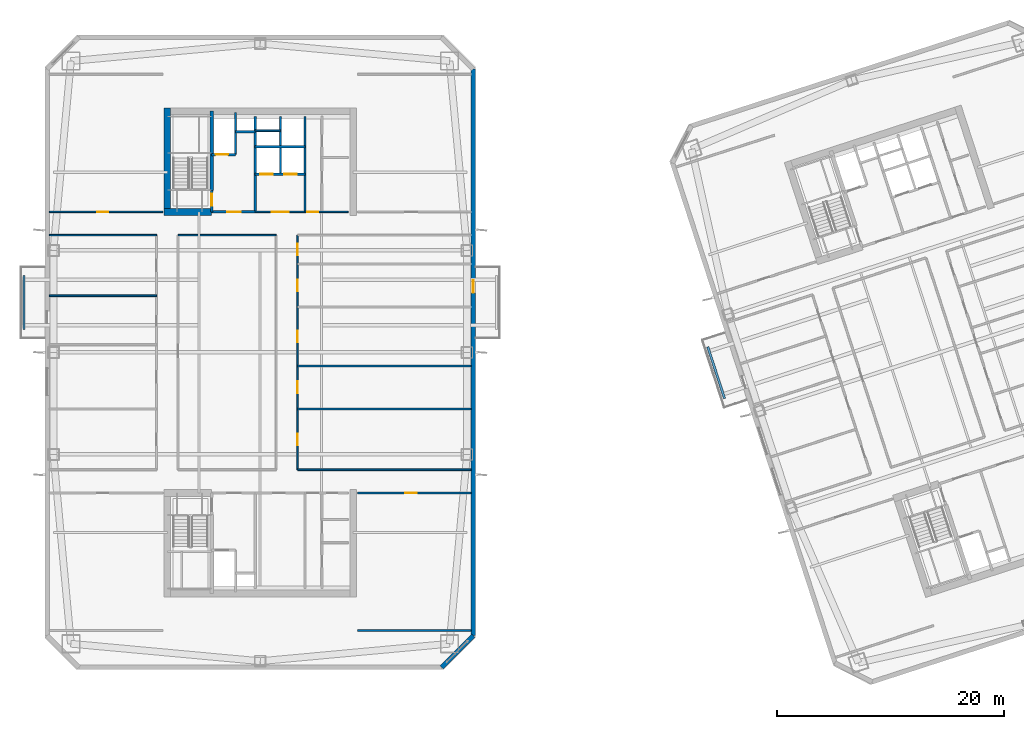
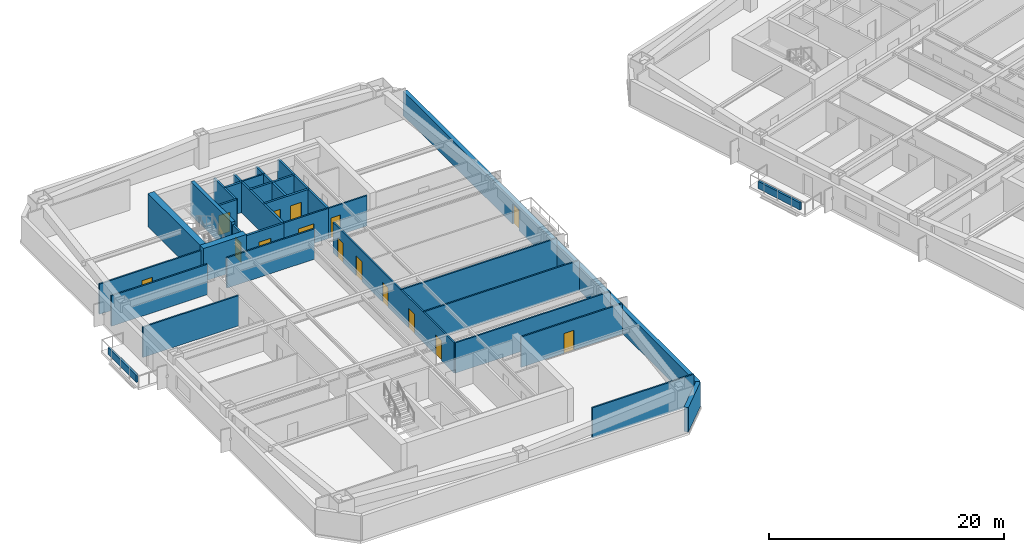
# One storey, part 12 of 23: 30 walls, 15 doors, 15 openings.
"""IFC4 building model written with IfcOpenShell, lengths in metres."""

from ifc_helpers import new_model, si_unit, direction, frame, frame_2d, origin, place, context, subcontext, project, spatial, rectangle, extrude, material, layer, layer_set, type_object, element, fill, save


model = new_model("IFC4")

# Units and contexts
model_context = context("Model", 3, precision=1e-05, world=origin(), true_north=direction((0.0, 1.0)))
body_context = subcontext(model_context, "Body", "Model", "MODEL_VIEW")
ifc_project = project(units=[si_unit("LENGTHUNIT", "METRE"), si_unit("AREAUNIT", "SQUARE_METRE"), si_unit("VOLUMEUNIT", "CUBIC_METRE"), si_unit("PLANEANGLEUNIT", "RADIAN"), si_unit("MASSUNIT", "GRAM", prefix="KILO")], contexts=[model_context])

# Site, building, storey
site_placement = place(None, origin())
site = spatial("IfcSite", under=ifc_project, at=site_placement, CompositionType="ELEMENT")
building_placement = place(site_placement, origin())
building = spatial("IfcBuilding", under=site, at=building_placement, Name="Qiaolan Cultural Towers", CompositionType="ELEMENT")
storey_placement = place(building_placement, frame((0.0, 0.0, 100.050048828125)))
storey = spatial("IfcBuildingStorey", under=building, at=storey_placement, Name="L25", CompositionType="ELEMENT", Elevation=100.050048828125)

# Walls
ifc_material_1 = material(Name="Concrete C50", Category="concrete")
ifc_layer_1 = layer(ifc_material_1, 0.35009765625)
ifc_layer_set_1 = layer_set([ifc_layer_1], Name="Concrete C50")
wall_type_1 = type_object("IfcWallType", Name="WL-CORE-350", PredefinedType="SHEAR", material=ifc_layer_set_1)
wall_1_placement = place(storey_placement, frame((25.719970703125, 48.300048828125, 0.0), z_axis=(0.0, 0.0, 1.0), x_axis=(0.0, 1.0, 0.0)))
element("IfcWall", 1, at=wall_1_placement, inside=storey, type_object=wall_type_1, Name="L25 T1-CN Stair Core Dividing Web", PredefinedType="SHEAR", context=body_context, shape_type="SweptSolid", body=[
    extrude(rectangle(XDim=6.97998046875, YDim=0.35009765625, at=frame_2d((3.489990234375, 0.0))), origin(), (0.0, 0.0, 1.0), 3.449951171875),
])
ifc_material_2 = material(Name="Concrete C55", Category="concrete")
ifc_layer_2 = layer(ifc_material_2, 0.60009765625)
ifc_layer_set_2 = layer_set([ifc_layer_2], Name="Concrete C55")
wall_type_2 = type_object("IfcWallType", Name="WL-CORE-600", PredefinedType="SHEAR", material=ifc_layer_set_2)
wall_2_placement = place(storey_placement, frame((21.800048828125, 46.10009765625, 0.0), z_axis=(0.0, 0.0, 1.0), x_axis=(0.0, 1.0, 0.0)))
element("IfcWall", 2, at=wall_2_placement, inside=storey, type_object=wall_type_2, Name="L25 T1-CN West Core Shear Wall", PredefinedType="SHEAR", context=body_context, shape_type="SweptSolid", body=[
    extrude(rectangle(XDim=9.47998046875, YDim=0.60009765625, at=frame_2d((4.739990234375, 0.0))), origin(), (0.0, 0.0, 1.0), 3.449951171875),
])
wall_3_placement = place(storey_placement, frame((21.5, 46.39990234375, 0.0), z_axis=(0.0, 0.0, 1.0), x_axis=(1.0, 0.0, 0.0)))
element("IfcWall", 3, at=wall_3_placement, inside=storey, type_object=wall_type_2, Name="L25 T1-CN Stair Front Shear Wall", PredefinedType="SHEAR", context=body_context, shape_type="SweptSolid", body=[
    extrude(rectangle(XDim=4.219970703125, YDim=0.60009765625, at=frame_2d((2.10986328125, 0.0))), origin(), (0.0, 0.0, 1.0), 3.449951171875),
])

# Wall, opening, door
ifc_material_3 = material(Name="Precast Concrete C50 Honed Stone Pier", Category="masonry")
ifc_layer_3 = layer(ifc_material_3, 0.39990234375)
ifc_layer_set_3 = layer_set([ifc_layer_3], Name="Precast Concrete C50 Honed Stone Pier")
wall_type_3 = type_object("IfcWallType", Name="WL-EXT-PIER-400", PredefinedType="SOLIDWALL", material=ifc_layer_set_3)
wall_4_placement = place(storey_placement, frame((48.800048828125, 59.0, 0.0), z_axis=(0.0, 0.0, 1.0), x_axis=(0.0, -1.0, 0.0)))
wall_4 = element("IfcWall", 4, at=wall_4_placement, inside=storey, type_object=wall_type_3, Name="L25 West Tower Precast Pier Facade Wall F5", PredefinedType="SOLIDWALL", context=body_context, shape_type="SweptSolid", body=[
    extrude(rectangle(XDim=50.0, YDim=0.39990234375, at=frame_2d((25.0, 0.0))), origin(), (0.0, 0.0, 1.0), 2.550048828125),
])
opening_1_placement = place(wall_4_placement, frame((18.64990234375, 0.0, 0.0)))
opening_1 = element("IfcOpeningElement", 5, at=opening_1_placement, cuts=wall_4, Name="Opening BD-01", PredefinedType="OPENING", context=body_context, shape_type="SweptSolid", body=[
    extrude(rectangle(XDim=1.10009765625, YDim=2.14990234375, at=frame_2d((0.550048828125, 1.074951171875))), frame((0.0, 0.2099609375, 0.0), z_axis=(0.0, -1.0, 0.0), x_axis=(1.0, 0.0, 0.0)), (0.0, 0.0, 1.0), 0.419921875),
])
ifc_material_4 = material(Name="Thermally Broken Aluminium Glazed Terrace Door", Category="aluminium")
door_type_1 = type_object("IfcDoorType", Name="DR-BAL-1100", OperationType="NOTDEFINED", PredefinedType="DOOR", material=ifc_material_4)
door_1_placement = place(opening_1_placement, origin())
door_1 = element("IfcDoor", 6, at=door_1_placement, inside=storey, type_object=door_type_1, Name="L25 T1 East Tree Balcony Door", OperationType="SINGLE_SWING_RIGHT", OverallHeight=2.14990234375, OverallWidth=1.10009765625, PredefinedType="DOOR", context=body_context, shape_type="SweptSolid", body=[
    extrude(rectangle(XDim=1.10009765625, YDim=2.14990234375, at=frame_2d((0.550048828125, 1.074951171875))), frame((0.0, 0.02490234375, 0.0), z_axis=(0.0, -1.0, 0.0), x_axis=(1.0, 0.0, 0.0)), (0.0, 0.0, 1.0), 0.050048828125),
])
fill(opening_1, door_1)

# Wall
wall_5_placement = place(storey_placement, frame((48.800048828125, 9.0, 0.0), z_axis=(0.0, 0.0, 1.0), x_axis=(-0.707106781187, -0.707106781187, 0.0)))
element("IfcWall", 7, at=wall_5_placement, inside=storey, type_object=wall_type_3, Name="L25 West Tower Precast Pier Facade Wall F6", PredefinedType="SOLIDWALL", context=body_context, shape_type="SweptSolid", body=[
    extrude(rectangle(XDim=3.9599609375, YDim=0.39990234375, at=frame_2d((1.97998046875, 0.0))), origin(), (0.0, 0.0, 1.0), 2.550048828125),
])

# Wall, opening, door
ifc_material_5 = material(Name="Concrete C35 Fire Wall", Category="concrete")
ifc_layer_4 = layer(ifc_material_5, 0.199951171875)
ifc_layer_set_4 = layer_set([ifc_layer_4], Name="Concrete C35 Fire Wall")
wall_type_4 = type_object("IfcWallType", Name="WL-FIRE-200", PredefinedType="PARTITIONING", material=ifc_layer_set_4)
wall_6_placement = place(storey_placement, frame((25.719970703125, 46.39990234375, 0.0), z_axis=(0.0, 0.0, 1.0), x_axis=(0.0, 1.0, 0.0)))
wall_6 = element("IfcWall", 8, at=wall_6_placement, inside=storey, type_object=wall_type_4, Name="L25 T1-CN Smokeproof Stair Entry Wall", PredefinedType="PARTITIONING", context=body_context, shape_type="SweptSolid", body=[
    extrude(rectangle(XDim=1.900146484375, YDim=0.199951171875, at=frame_2d((0.9501953125, 0.0))), origin(), (0.0, 0.0, 1.0), 3.155029296875),
])
opening_2_placement = place(wall_6_placement, frame((0.52001953125, 0.0, 0.0)))
opening_2 = element("IfcOpeningElement", 9, at=opening_2_placement, cuts=wall_6, Name="Opening FD-04", PredefinedType="OPENING", context=body_context, shape_type="SweptSolid", body=[
    extrude(rectangle(XDim=1.10009765625, YDim=2.050048828125, at=frame_2d((0.550048828125, 1.02490234375))), frame((0.0, 0.10986328125, 0.0), z_axis=(0.0, -1.0, 0.0), x_axis=(1.0, 0.0, 0.0)), (0.0, 0.0, 1.0), 0.219970703125),
])
ifc_material_6 = material(Name="Galvanized Steel Command Fire Door", Category="steel")
door_type_2 = type_object("IfcDoorType", Name="DR-FD90-1100", OperationType="NOTDEFINED", PredefinedType="DOOR", material=ifc_material_6)
door_2_placement = place(opening_2_placement, origin())
door_2 = element("IfcDoor", 10, at=door_2_placement, inside=storey, type_object=door_type_2, Name="L25 ST-W2 Smokeproof Stair Fire Door", OperationType="SINGLE_SWING_LEFT", OverallHeight=2.050048828125, OverallWidth=1.10009765625, PredefinedType="DOOR", context=body_context, shape_type="SweptSolid", body=[
    extrude(rectangle(XDim=1.10009765625, YDim=2.050048828125, at=frame_2d((0.550048828125, 1.02490234375))), frame((0.0, 0.02490234375, 0.0), z_axis=(0.0, -1.0, 0.0), x_axis=(1.0, 0.0, 0.0)), (0.0, 0.0, 1.0), 0.050048828125),
])
fill(opening_2, door_2)

# Wall
wall_7_placement = place(storey_placement, frame((29.550048828125, 46.39990234375, 0.0), z_axis=(0.0, 0.0, 1.0), x_axis=(0.0, 1.0, 0.0)))
element("IfcWall", 11, at=wall_7_placement, inside=storey, type_object=wall_type_4, Name="L25 T1-CN Firefighting Zone Wall", PredefinedType="PARTITIONING", context=body_context, shape_type="SweptSolid", body=[
    extrude(rectangle(XDim=8.43017578125, YDim=0.199951171875, at=frame_2d((4.215087890625, 0.0))), origin(), (0.0, 0.0, 1.0), 3.155029296875),
])

# Wall, opening, door
wall_8_placement = place(storey_placement, frame((25.719970703125, 46.39990234375, 0.0), z_axis=(0.0, 0.0, 1.0), x_axis=(1.0, 0.0, 0.0)))
wall_8 = element("IfcWall", 12, at=wall_8_placement, inside=storey, type_object=wall_type_4, Name="L25 T1-CN Firefighting Lobby Front Wall", PredefinedType="PARTITIONING", context=body_context, shape_type="SweptSolid", body=[
    extrude(rectangle(XDim=3.830078125, YDim=0.199951171875, at=frame_2d((1.9150390625, 0.0))), origin(), (0.0, 0.0, 1.0), 3.155029296875),
])
opening_3_placement = place(wall_8_placement, frame((1.35009765625, 0.0, 0.0)))
opening_3 = element("IfcOpeningElement", 13, at=opening_3_placement, cuts=wall_8, Name="Opening FD-03", PredefinedType="OPENING", context=body_context, shape_type="SweptSolid", body=[
    extrude(rectangle(XDim=1.199951171875, YDim=2.050048828125, at=frame_2d((0.60009765625, 1.02490234375))), frame((0.0, 0.10986328125, 0.0), z_axis=(0.0, -1.0, 0.0), x_axis=(1.0, 0.0, 0.0)), (0.0, 0.0, 1.0), 0.219970703125),
])
ifc_material_7 = material(Name="Galvanized Steel Smokeproof Lobby Fire Door", Category="steel")
door_type_3 = type_object("IfcDoorType", Name="DR-FD90-1200", OperationType="NOTDEFINED", PredefinedType="DOOR", material=ifc_material_7)
door_3_placement = place(opening_3_placement, origin())
door_3 = element("IfcDoor", 14, at=door_3_placement, inside=storey, type_object=door_type_3, Name="L25 FFL-W2 Firefighting Lobby Fire Door", OperationType="SINGLE_SWING_LEFT", OverallHeight=2.050048828125, OverallWidth=1.199951171875, PredefinedType="DOOR", context=body_context, shape_type="SweptSolid", body=[
    extrude(rectangle(XDim=1.199951171875, YDim=2.050048828125, at=frame_2d((0.60009765625, 1.02490234375))), frame((0.0, 0.02490234375, 0.0), z_axis=(0.0, -1.0, 0.0), x_axis=(1.0, 0.0, 0.0)), (0.0, 0.0, 1.0), 0.050048828125),
])
fill(opening_3, door_3)

wall_9_placement = place(storey_placement, frame((25.719970703125, 51.449951171875, 0.0), z_axis=(0.0, 0.0, 1.0), x_axis=(1.0, 0.0, 0.0)))
wall_9 = element("IfcWall", 15, at=wall_9_placement, inside=storey, type_object=wall_type_4, Name="L25 T1-CN Firefighting Shaft Front Wall", PredefinedType="PARTITIONING", context=body_context, shape_type="SweptSolid", body=[
    extrude(rectangle(XDim=2.10009765625, YDim=0.199951171875, at=frame_2d((1.050048828125, 0.0))), origin(), (0.0, 0.0, 1.0), 3.155029296875),
])
opening_4_placement = place(wall_9_placement, frame((0.35009765625, 0.0, 0.0)))
opening_4 = element("IfcOpeningElement", 16, at=opening_4_placement, cuts=wall_9, Name="Opening LD-01", PredefinedType="OPENING", context=body_context, shape_type="SweptSolid", body=[
    extrude(rectangle(XDim=1.10009765625, YDim=2.050048828125, at=frame_2d((0.550048828125, 1.02490234375))), frame((0.0, 0.10986328125, 0.0), z_axis=(0.0, -1.0, 0.0), x_axis=(1.0, 0.0, 0.0)), (0.0, 0.0, 1.0), 0.219970703125),
])
ifc_material_8 = material(Name="Brushed Stainless Steel S30408 Centre-Parting Lift Landing Door", Category="steel")
door_type_4 = type_object("IfcDoorType", Name="DR-LIFT-1100", OperationType="NOTDEFINED", PredefinedType="DOOR", material=ifc_material_8)
door_4_placement = place(opening_4_placement, origin())
door_4 = element("IfcDoor", 17, at=door_4_placement, inside=storey, type_object=door_type_4, Name="L25 FFL-W2 Firefighting Lift Landing Door", OperationType="DOUBLE_DOOR_SLIDING", OverallHeight=2.050048828125, OverallWidth=1.10009765625, PredefinedType="DOOR", context=body_context, shape_type="SweptSolid", body=[
    extrude(rectangle(XDim=1.10009765625, YDim=2.050048828125, at=frame_2d((0.550048828125, 1.02490234375))), frame((0.0, 0.02490234375, 0.0), z_axis=(0.0, -1.0, 0.0), x_axis=(1.0, 0.0, 0.0)), (0.0, 0.0, 1.0), 0.050048828125),
])
fill(opening_4, door_4)

# Walls
wall_10_placement = place(storey_placement, frame((27.820068359375, 51.449951171875, 0.0), z_axis=(0.0, 0.0, 1.0), x_axis=(0.0, 1.0, 0.0)))
element("IfcWall", 18, at=wall_10_placement, inside=storey, type_object=wall_type_4, Name="L25 T1-CN Firefighting Hoistway East Wall", PredefinedType="PARTITIONING", context=body_context, shape_type="SweptSolid", body=[
    extrude(rectangle(XDim=3.699951171875, YDim=0.199951171875, at=frame_2d((1.85009765625, 0.0))), origin(), (0.0, 0.0, 1.0), 3.155029296875),
])
wall_11_placement = place(storey_placement, frame((27.820068359375, 53.47998046875, 0.0), z_axis=(0.0, 0.0, 1.0), x_axis=(1.0, 0.0, 0.0)))
element("IfcWall", 19, at=wall_11_placement, inside=storey, type_object=wall_type_4, Name="L25 T1-CN Pressurization Shaft Front Wall", PredefinedType="PARTITIONING", context=body_context, shape_type="SweptSolid", body=[
    extrude(rectangle(XDim=1.72998046875, YDim=0.199951171875, at=frame_2d((0.864990234375, 0.0))), origin(), (0.0, 0.0, 1.0), 3.155029296875),
])
wall_12_placement = place(storey_placement, frame((33.949951171875, 46.39990234375, 0.0), z_axis=(0.0, 0.0, 1.0), x_axis=(0.0, 1.0, 0.0)))
element("IfcWall", 20, at=wall_12_placement, inside=storey, type_object=wall_type_4, Name="L25 T1-CN Lift Core East Wall", PredefinedType="PARTITIONING", context=body_context, shape_type="SweptSolid", body=[
    extrude(rectangle(XDim=8.43017578125, YDim=0.199951171875, at=frame_2d((4.215087890625, 0.0))), origin(), (0.0, 0.0, 1.0), 3.155029296875),
])

# Wall, openings, doors
wall_13_placement = place(storey_placement, frame((29.550048828125, 49.719970703125, 0.0), z_axis=(0.0, 0.0, 1.0), x_axis=(1.0, 0.0, 0.0)))
wall_13 = element("IfcWall", 21, at=wall_13_placement, inside=storey, type_object=wall_type_4, Name="L25 T1-CN Passenger Lift Shaft Front Wall", PredefinedType="PARTITIONING", context=body_context, shape_type="SweptSolid", body=[
    extrude(rectangle(XDim=4.39990234375, YDim=0.199951171875, at=frame_2d((2.199951171875, 0.0))), origin(), (0.0, 0.0, 1.0), 3.155029296875),
])
opening_5_placement = place(wall_13_placement, frame((0.449951171875, 0.0, 0.0)))
opening_5 = element("IfcOpeningElement", 22, at=opening_5_placement, cuts=wall_13, Name="Opening LD-01", PredefinedType="OPENING", context=body_context, shape_type="SweptSolid", body=[
    extrude(rectangle(XDim=1.10009765625, YDim=2.050048828125, at=frame_2d((0.550048828125, 1.02490234375))), frame((0.0, 0.10986328125, 0.0), z_axis=(0.0, -1.0, 0.0), x_axis=(1.0, 0.0, 0.0)), (0.0, 0.0, 1.0), 0.219970703125),
])
opening_6_placement = place(wall_13_placement, frame((2.550048828125, 0.0, 0.0)))
opening_6 = element("IfcOpeningElement", 23, at=opening_6_placement, cuts=wall_13, Name="Opening LD-01", PredefinedType="OPENING", context=body_context, shape_type="SweptSolid", body=[
    extrude(rectangle(XDim=1.10009765625, YDim=2.050048828125, at=frame_2d((0.550048828125, 1.02490234375))), frame((0.0, 0.10986328125, 0.0), z_axis=(0.0, -1.0, 0.0), x_axis=(1.0, 0.0, 0.0)), (0.0, 0.0, 1.0), 0.219970703125),
])
door_5_placement = place(opening_5_placement, origin())
door_5 = element("IfcDoor", 24, at=door_5_placement, inside=storey, type_object=door_type_4, Name="L25 Passenger Lift 1 Landing Door", OperationType="DOUBLE_DOOR_SLIDING", OverallHeight=2.050048828125, OverallWidth=1.10009765625, PredefinedType="DOOR", context=body_context, shape_type="SweptSolid", body=[
    extrude(rectangle(XDim=1.10009765625, YDim=2.050048828125, at=frame_2d((0.550048828125, 1.02490234375))), frame((0.0, 0.02490234375, 0.0), z_axis=(0.0, -1.0, 0.0), x_axis=(1.0, 0.0, 0.0)), (0.0, 0.0, 1.0), 0.050048828125),
])
fill(opening_5, door_5)
door_6_placement = place(opening_6_placement, origin())
door_6 = element("IfcDoor", 25, at=door_6_placement, inside=storey, type_object=door_type_4, Name="L25 Passenger Lift 2 Landing Door", OperationType="DOUBLE_DOOR_SLIDING", OverallHeight=2.050048828125, OverallWidth=1.10009765625, PredefinedType="DOOR", context=body_context, shape_type="SweptSolid", body=[
    extrude(rectangle(XDim=1.10009765625, YDim=2.050048828125, at=frame_2d((0.550048828125, 1.02490234375))), frame((0.0, 0.02490234375, 0.0), z_axis=(0.0, -1.0, 0.0), x_axis=(1.0, 0.0, 0.0)), (0.0, 0.0, 1.0), 0.050048828125),
])
fill(opening_6, door_6)

# Walls
wall_14_placement = place(storey_placement, frame((31.780029296875, 49.719970703125, 0.0), z_axis=(0.0, 0.0, 1.0), x_axis=(0.0, 1.0, 0.0)))
element("IfcWall", 26, at=wall_14_placement, inside=storey, type_object=wall_type_4, Name="L25 T1-CN Lift Shaft Divider Wall", PredefinedType="PARTITIONING", context=body_context, shape_type="SweptSolid", body=[
    extrude(rectangle(XDim=5.110107421875, YDim=0.199951171875, at=frame_2d((2.55517578125, 0.0))), origin(), (0.0, 0.0, 1.0), 3.155029296875),
])
wall_15_placement = place(storey_placement, frame((29.550048828125, 52.14990234375, 0.0), z_axis=(0.0, 0.0, 1.0), x_axis=(1.0, 0.0, 0.0)))
element("IfcWall", 27, at=wall_15_placement, inside=storey, type_object=wall_type_4, Name="L25 T1-CN Passenger Lift Shaft Back Wall", PredefinedType="PARTITIONING", context=body_context, shape_type="SweptSolid", body=[
    extrude(rectangle(XDim=4.39990234375, YDim=0.199951171875, at=frame_2d((2.199951171875, 0.0))), origin(), (0.0, 0.0, 1.0), 3.155029296875),
])

# Wall, opening, door
ifc_material_9 = material(Name="Autoclaved Aerated Concrete Block B06", Category="concrete")
ifc_layer_5 = layer(ifc_material_9, 0.14990234375)
ifc_layer_set_5 = layer_set([ifc_layer_5], Name="Autoclaved Aerated Concrete Block B06")
wall_type_5 = type_object("IfcWallType", Name="WL-PART-150", PredefinedType="PARTITIONING", material=ifc_layer_set_5)
wall_16_placement = place(storey_placement, frame((29.550048828125, 46.39990234375, 0.0), z_axis=(0.0, 0.0, 1.0), x_axis=(1.0, 0.0, 0.0)))
wall_16 = element("IfcWall", 28, at=wall_16_placement, inside=storey, type_object=wall_type_5, Name="L25 T1-CN Passenger Lift Lobby Front Wall", PredefinedType="PARTITIONING", context=body_context, shape_type="SweptSolid", body=[
    extrude(rectangle(XDim=4.39990234375, YDim=0.14990234375, at=frame_2d((2.199951171875, 0.0))), origin(), (0.0, 0.0, 1.0), 3.155029296875),
])
opening_7_placement = place(wall_16_placement, frame((1.449951171875, 0.0, 0.0)))
opening_7 = element("IfcOpeningElement", 29, at=opening_7_placement, cuts=wall_16, Name="Opening FD-05", PredefinedType="OPENING", context=body_context, shape_type="SweptSolid", body=[
    extrude(rectangle(XDim=1.5, YDim=2.050048828125, at=frame_2d((0.75, 1.02490234375))), frame((0.0, 0.0849609375, 0.0), z_axis=(0.0, -1.0, 0.0), x_axis=(1.0, 0.0, 0.0)), (0.0, 0.0, 1.0), 0.169921875),
])
ifc_material_10 = material(Name="Painted Steel Lift Lobby Fire Door", Category="steel")
door_type_5 = type_object("IfcDoorType", Name="DR-FD60-1500", OperationType="NOTDEFINED", PredefinedType="DOOR", material=ifc_material_10)
door_7_placement = place(opening_7_placement, origin())
door_7 = element("IfcDoor", 30, at=door_7_placement, inside=storey, type_object=door_type_5, Name="L25 Passenger Lift Lobby Entrance", OperationType="SINGLE_SWING_LEFT", OverallHeight=2.050048828125, OverallWidth=1.5, PredefinedType="DOOR", context=body_context, shape_type="SweptSolid", body=[
    extrude(rectangle(XDim=1.5, YDim=2.050048828125, at=frame_2d((0.75, 1.02490234375))), frame((0.0, 0.02490234375, 0.0), z_axis=(0.0, -1.0, 0.0), x_axis=(1.0, 0.0, 0.0)), (0.0, 0.0, 1.0), 0.050048828125),
])
fill(opening_7, door_7)

# Wall
wall_17_placement = place(storey_placement, frame((29.550048828125, 53.550048828125, 0.0), z_axis=(0.0, 0.0, 1.0), x_axis=(1.0, 0.0, 0.0)))
element("IfcWall", 31, at=wall_17_placement, inside=storey, type_object=wall_type_5, Name="L25 T1-CN Core Rear Riser Split", PredefinedType="PARTITIONING", context=body_context, shape_type="SweptSolid", body=[
    extrude(rectangle(XDim=2.22998046875, YDim=0.14990234375, at=frame_2d((1.114990234375, 0.0))), origin(), (0.0, 0.0, 1.0), 3.155029296875),
])

# Wall, opening, door
wall_18_placement = place(storey_placement, frame((33.949951171875, 46.39990234375, 0.0), z_axis=(0.0, 0.0, 1.0), x_axis=(1.0, 0.0, 0.0)))
wall_18 = element("IfcWall", 32, at=wall_18_placement, inside=storey, type_object=wall_type_5, Name="L25 T1-CN Sanitary Core Front Wall", PredefinedType="PARTITIONING", context=body_context, shape_type="SweptSolid", body=[
    extrude(rectangle(XDim=3.800048828125, YDim=0.14990234375, at=frame_2d((1.89990234375, 0.0))), origin(), (0.0, 0.0, 1.0), 3.155029296875),
])
opening_8_placement = place(wall_18_placement, frame((0.219970703125, 0.0, 0.0)))
opening_8 = element("IfcOpeningElement", 33, at=opening_8_placement, cuts=wall_18, Name="Opening ID-05", PredefinedType="OPENING", context=body_context, shape_type="SweptSolid", body=[
    extrude(rectangle(XDim=0.949951171875, YDim=2.050048828125, at=frame_2d((0.47509765625, 1.02490234375))), frame((0.0, 0.0849609375, 0.0), z_axis=(0.0, -1.0, 0.0), x_axis=(1.0, 0.0, 0.0)), (0.0, 0.0, 1.0), 0.169921875),
])
ifc_material_11 = material(Name="Fire-Rated Laminate Accessible Core Door", Category="timber")
door_type_6 = type_object("IfcDoorType", Name="DR-INT-950", OperationType="NOTDEFINED", PredefinedType="DOOR", material=ifc_material_11)
door_8_placement = place(opening_8_placement, origin())
door_8 = element("IfcDoor", 34, at=door_8_placement, inside=storey, type_object=door_type_6, Name="L25 Sanitary Lobby Door", OperationType="SINGLE_SWING_LEFT", OverallHeight=2.050048828125, OverallWidth=0.949951171875, PredefinedType="DOOR", context=body_context, shape_type="SweptSolid", body=[
    extrude(rectangle(XDim=0.949951171875, YDim=2.050048828125, at=frame_2d((0.47509765625, 1.02490234375))), frame((0.0, 0.02490234375, 0.0), z_axis=(0.0, -1.0, 0.0), x_axis=(1.0, 0.0, 0.0)), (0.0, 0.0, 1.0), 0.050048828125),
])
fill(opening_8, door_8)

# Wall
wall_19_placement = place(storey_placement, frame((38.60009765625, 9.449951171875, 0.0), z_axis=(0.0, 0.0, 1.0), x_axis=(1.0, 0.0, 0.0)))
element("IfcWall", 35, at=wall_19_placement, inside=storey, type_object=wall_type_5, Name="L25 T1 Flank Wall FLK-SE", PredefinedType="PARTITIONING", context=body_context, shape_type="SweptSolid", body=[
    extrude(rectangle(XDim=10.0, YDim=0.14990234375, at=frame_2d((5.0, 0.0))), origin(), (0.0, 0.0, 1.0), 3.155029296875),
])

# Wall, opening, door
wall_20_placement = place(storey_placement, frame((38.60009765625, 21.60009765625, 0.0), z_axis=(0.0, 0.0, 1.0), x_axis=(1.0, 0.0, 0.0)))
wall_20 = element("IfcWall", 36, at=wall_20_placement, inside=storey, type_object=wall_type_5, Name="L25 T1 Flank Front FLK-SE", PredefinedType="PARTITIONING", context=body_context, shape_type="SweptSolid", body=[
    extrude(rectangle(XDim=10.0, YDim=0.14990234375, at=frame_2d((5.0, 0.0))), origin(), (0.0, 0.0, 1.0), 3.155029296875),
])
opening_9_placement = place(wall_20_placement, frame((4.199951171875, 0.0, 0.0)))
opening_9 = element("IfcOpeningElement", 37, at=opening_9_placement, cuts=wall_20, Name="Opening ID-04", PredefinedType="OPENING", context=body_context, shape_type="SweptSolid", body=[
    extrude(rectangle(XDim=1.0, YDim=2.050048828125, at=frame_2d((0.5, 1.02490234375))), frame((0.0, 0.0849609375, 0.0), z_axis=(0.0, -1.0, 0.0), x_axis=(1.0, 0.0, 0.0)), (0.0, 0.0, 1.0), 0.169921875),
])
ifc_material_12 = material(Name="Oak Veneer Acoustic Office Door", Category="timber")
door_type_7 = type_object("IfcDoorType", Name="DR-INT-1000", OperationType="NOTDEFINED", PredefinedType="DOOR", material=ifc_material_12)
door_9_placement = place(opening_9_placement, origin())
door_9 = element("IfcDoor", 38, at=door_9_placement, inside=storey, type_object=door_type_7, Name="L25 T1 Corner Studio Door", OperationType="SINGLE_SWING_LEFT", OverallHeight=2.050048828125, OverallWidth=1.0, PredefinedType="DOOR", context=body_context, shape_type="SweptSolid", body=[
    extrude(rectangle(XDim=1.0, YDim=2.050048828125, at=frame_2d((0.5, 1.02490234375))), frame((0.0, 0.02490234375, 0.0), z_axis=(0.0, -1.0, 0.0), x_axis=(1.0, 0.0, 0.0)), (0.0, 0.0, 1.0), 0.050048828125),
])
fill(opening_9, door_9)

wall_21_placement = place(storey_placement, frame((11.39990234375, 46.39990234375, 0.0), z_axis=(0.0, 0.0, 1.0), x_axis=(1.0, 0.0, 0.0)))
wall_21 = element("IfcWall", 39, at=wall_21_placement, inside=storey, type_object=wall_type_5, Name="L25 T1 Flank Front FLK-NW", PredefinedType="PARTITIONING", context=body_context, shape_type="SweptSolid", body=[
    extrude(rectangle(XDim=10.0, YDim=0.14990234375, at=frame_2d((5.0, 0.0))), origin(), (0.0, 0.0, 1.0), 3.155029296875),
])
opening_10_placement = place(wall_21_placement, frame((4.199951171875, 0.0, 0.0)))
opening_10 = element("IfcOpeningElement", 40, at=opening_10_placement, cuts=wall_21, Name="Opening ID-04", PredefinedType="OPENING", context=body_context, shape_type="SweptSolid", body=[
    extrude(rectangle(XDim=1.0, YDim=2.050048828125, at=frame_2d((0.5, 1.02490234375))), frame((0.0, 0.0849609375, 0.0), z_axis=(0.0, -1.0, 0.0), x_axis=(1.0, 0.0, 0.0)), (0.0, 0.0, 1.0), 0.169921875),
])
door_10_placement = place(opening_10_placement, origin())
door_10 = element("IfcDoor", 41, at=door_10_placement, inside=storey, type_object=door_type_7, Name="L25 T1 Corner Studio Door", OperationType="SINGLE_SWING_LEFT", OverallHeight=2.050048828125, OverallWidth=1.0, PredefinedType="DOOR", context=body_context, shape_type="SweptSolid", body=[
    extrude(rectangle(XDim=1.0, YDim=2.050048828125, at=frame_2d((0.5, 1.02490234375))), frame((0.0, 0.02490234375, 0.0), z_axis=(0.0, -1.0, 0.0), x_axis=(1.0, 0.0, 0.0)), (0.0, 0.0, 1.0), 0.050048828125),
])
fill(opening_10, door_10)

# Walls
wall_22_placement = place(storey_placement, frame((33.300048828125, 23.64990234375, 0.0), z_axis=(0.0, 0.0, 1.0), x_axis=(1.0, 0.0, 0.0)))
element("IfcWall", 42, at=wall_22_placement, inside=storey, type_object=wall_type_5, Name="L25 T1 Interior Wall", PredefinedType="PARTITIONING", context=body_context, shape_type="SweptSolid", body=[
    extrude(rectangle(XDim=15.300048828125, YDim=0.14990234375, at=frame_2d((7.64990234375, 0.0))), origin(), (0.0, 0.0, 1.0), 3.155029296875),
])
wall_23_placement = place(storey_placement, frame((11.39990234375, 44.35009765625, 0.0), z_axis=(0.0, 0.0, 1.0), x_axis=(1.0, 0.0, 0.0)))
element("IfcWall", 43, at=wall_23_placement, inside=storey, type_object=wall_type_5, Name="L25 T1 Interior Wall", PredefinedType="PARTITIONING", context=body_context, shape_type="SweptSolid", body=[
    extrude(rectangle(XDim=9.4501953125, YDim=0.14990234375, at=frame_2d((4.72509765625, 0.0))), origin(), (0.0, 0.0, 1.0), 3.155029296875),
])
wall_24_placement = place(storey_placement, frame((22.75, 44.35009765625, 0.0), z_axis=(0.0, 0.0, 1.0), x_axis=(1.0, 0.0, 0.0)))
element("IfcWall", 44, at=wall_24_placement, inside=storey, type_object=wall_type_5, Name="L25 T1 Interior Wall", PredefinedType="PARTITIONING", context=body_context, shape_type="SweptSolid", body=[
    extrude(rectangle(XDim=8.64990234375, YDim=0.14990234375, at=frame_2d((4.324951171875, 0.0))), origin(), (0.0, 0.0, 1.0), 3.155029296875),
])

# Wall, openings, doors
wall_25_placement = place(storey_placement, frame((33.300048828125, 23.64990234375, 0.0), z_axis=(0.0, 0.0, 1.0), x_axis=(0.0, 1.0, 0.0)))
wall_25 = element("IfcWall", 45, at=wall_25_placement, inside=storey, type_object=wall_type_5, Name="L25 T1 Interior Wall", PredefinedType="PARTITIONING", context=body_context, shape_type="SweptSolid", body=[
    extrude(rectangle(XDim=20.7001953125, YDim=0.14990234375, at=frame_2d((10.35009765625, 0.0))), origin(), (0.0, 0.0, 1.0), 3.155029296875),
])
opening_11_placement = place(wall_25_placement, frame((2.175048828125, 0.0, 0.0)))
opening_11 = element("IfcOpeningElement", 46, at=opening_11_placement, cuts=wall_25, Name="Opening ID-04", PredefinedType="OPENING", context=body_context, shape_type="SweptSolid", body=[
    extrude(rectangle(XDim=1.0, YDim=2.050048828125, at=frame_2d((0.5, 1.02490234375))), frame((0.0, 0.0849609375, 0.0), z_axis=(0.0, -1.0, 0.0), x_axis=(1.0, 0.0, 0.0)), (0.0, 0.0, 1.0), 0.169921875),
])
opening_12_placement = place(wall_25_placement, frame((6.75, 0.0, 0.0)))
opening_12 = element("IfcOpeningElement", 47, at=opening_12_placement, cuts=wall_25, Name="Opening ID-07", PredefinedType="OPENING", context=body_context, shape_type="SweptSolid", body=[
    extrude(rectangle(XDim=1.050048828125, YDim=2.050048828125, at=frame_2d((0.52490234375, 1.02490234375))), frame((0.0, 0.0849609375, 0.0), z_axis=(0.0, -1.0, 0.0), x_axis=(1.0, 0.0, 0.0)), (0.0, 0.0, 1.0), 0.169921875),
])
opening_13_placement = place(wall_25_placement, frame((11.25, 0.0, 0.0)))
opening_13 = element("IfcOpeningElement", 48, at=opening_13_placement, cuts=wall_25, Name="Opening ID-04", PredefinedType="OPENING", context=body_context, shape_type="SweptSolid", body=[
    extrude(rectangle(XDim=1.0, YDim=2.050048828125, at=frame_2d((0.5, 1.02490234375))), frame((0.0, 0.0849609375, 0.0), z_axis=(0.0, -1.0, 0.0), x_axis=(1.0, 0.0, 0.0)), (0.0, 0.0, 1.0), 0.169921875),
])
opening_14_placement = place(wall_25_placement, frame((15.75, 0.0, 0.0)))
opening_14 = element("IfcOpeningElement", 49, at=opening_14_placement, cuts=wall_25, Name="Opening ID-04", PredefinedType="OPENING", context=body_context, shape_type="SweptSolid", body=[
    extrude(rectangle(XDim=1.0, YDim=2.050048828125, at=frame_2d((0.5, 1.02490234375))), frame((0.0, 0.0849609375, 0.0), z_axis=(0.0, -1.0, 0.0), x_axis=(1.0, 0.0, 0.0)), (0.0, 0.0, 1.0), 0.169921875),
])
opening_15_placement = place(wall_25_placement, frame((18.925048828125, 0.0, 0.0)))
opening_15 = element("IfcOpeningElement", 50, at=opening_15_placement, cuts=wall_25, Name="Opening ID-04", PredefinedType="OPENING", context=body_context, shape_type="SweptSolid", body=[
    extrude(rectangle(XDim=1.0, YDim=2.050048828125, at=frame_2d((0.5, 1.02490234375))), frame((0.0, 0.0849609375, 0.0), z_axis=(0.0, -1.0, 0.0), x_axis=(1.0, 0.0, 0.0)), (0.0, 0.0, 1.0), 0.169921875),
])
door_11_placement = place(opening_11_placement, origin())
door_11 = element("IfcDoor", 51, at=door_11_placement, inside=storey, type_object=door_type_7, Name="L25 T1 Archival Research Office Door", OperationType="SINGLE_SWING_RIGHT", OverallHeight=2.050048828125, OverallWidth=1.0, PredefinedType="DOOR", context=body_context, shape_type="SweptSolid", body=[
    extrude(rectangle(XDim=1.0, YDim=2.050048828125, at=frame_2d((0.5, 1.02490234375))), frame((0.0, 0.02490234375, 0.0), z_axis=(0.0, -1.0, 0.0), x_axis=(1.0, 0.0, 0.0)), (0.0, 0.0, 1.0), 0.050048828125),
])
fill(opening_11, door_11)
door_12_placement = place(opening_13_placement, origin())
door_12 = element("IfcDoor", 52, at=door_12_placement, inside=storey, type_object=door_type_7, Name="L25 T1 Colloquium Room Door", OperationType="SINGLE_SWING_RIGHT", OverallHeight=2.050048828125, OverallWidth=1.0, PredefinedType="DOOR", context=body_context, shape_type="SweptSolid", body=[
    extrude(rectangle(XDim=1.0, YDim=2.050048828125, at=frame_2d((0.5, 1.02490234375))), frame((0.0, 0.02490234375, 0.0), z_axis=(0.0, -1.0, 0.0), x_axis=(1.0, 0.0, 0.0)), (0.0, 0.0, 1.0), 0.050048828125),
])
fill(opening_13, door_12)
door_13_placement = place(opening_14_placement, origin())
door_13 = element("IfcDoor", 53, at=door_13_placement, inside=storey, type_object=door_type_7, Name="L25 T1 Tea Kitchen Door", OperationType="SINGLE_SWING_LEFT", OverallHeight=2.050048828125, OverallWidth=1.0, PredefinedType="DOOR", context=body_context, shape_type="SweptSolid", body=[
    extrude(rectangle(XDim=1.0, YDim=2.050048828125, at=frame_2d((0.5, 1.02490234375))), frame((0.0, 0.02490234375, 0.0), z_axis=(0.0, -1.0, 0.0), x_axis=(1.0, 0.0, 0.0)), (0.0, 0.0, 1.0), 0.050048828125),
])
fill(opening_14, door_13)
door_14_placement = place(opening_15_placement, origin())
door_14 = element("IfcDoor", 54, at=door_14_placement, inside=storey, type_object=door_type_7, Name="L25 T1 Scholar Lounge Door", OperationType="SINGLE_SWING_RIGHT", OverallHeight=2.050048828125, OverallWidth=1.0, PredefinedType="DOOR", context=body_context, shape_type="SweptSolid", body=[
    extrude(rectangle(XDim=1.0, YDim=2.050048828125, at=frame_2d((0.5, 1.02490234375))), frame((0.0, 0.02490234375, 0.0), z_axis=(0.0, -1.0, 0.0), x_axis=(1.0, 0.0, 0.0)), (0.0, 0.0, 1.0), 0.050048828125),
])
fill(opening_15, door_14)
ifc_material_13 = material(Name="Oak Veneer Consultation Door", Category="timber")
door_type_8 = type_object("IfcDoorType", Name="DR-INT-1050", OperationType="NOTDEFINED", PredefinedType="DOOR", material=ifc_material_13)
door_15_placement = place(opening_12_placement, origin())
door_15 = element("IfcDoor", 55, at=door_15_placement, inside=storey, type_object=door_type_8, Name="L25 T1 Archival Research Office Door", OperationType="SINGLE_SWING_LEFT", OverallHeight=2.050048828125, OverallWidth=1.050048828125, PredefinedType="DOOR", context=body_context, shape_type="SweptSolid", body=[
    extrude(rectangle(XDim=1.050048828125, YDim=2.050048828125, at=frame_2d((0.52490234375, 1.02490234375))), frame((0.0, 0.02490234375, 0.0), z_axis=(0.0, -1.0, 0.0), x_axis=(1.0, 0.0, 0.0)), (0.0, 0.0, 1.0), 0.050048828125),
])
fill(opening_12, door_15)

# Walls
wall_26_placement = place(storey_placement, frame((11.39990234375, 39.0, 0.0), z_axis=(0.0, 0.0, 1.0), x_axis=(1.0, 0.0, 0.0)))
element("IfcWall", 56, at=wall_26_placement, inside=storey, type_object=wall_type_5, Name="L25 T1 Interior Wall", PredefinedType="PARTITIONING", context=body_context, shape_type="SweptSolid", body=[
    extrude(rectangle(XDim=9.4501953125, YDim=0.14990234375, at=frame_2d((4.72509765625, 0.0))), origin(), (0.0, 0.0, 1.0), 3.155029296875),
])
for number, where, z_axis, x_axis, name in (
    (57, (33.300048828125, 29.0, 0.0), (0.0, 0.0, 1.0), (1.0, 0.0, 0.0), "L25 T1 Interior Wall"),
    (58, (33.300048828125, 32.800048828125, 0.0), (0.0, 0.0, 1.0), (1.0, 0.0, 0.0), "L25 T1 Interior Wall"),
):
    element("IfcWall", number, at=place(storey_placement, frame(where, z_axis=z_axis, x_axis=x_axis)), inside=storey, type_object=wall_type_5, Name=name, PredefinedType="PARTITIONING", context=body_context, shape_type="SweptSolid", body=[
        extrude(rectangle(XDim=15.300048828125, YDim=0.14990234375, at=frame_2d((7.64990234375, 0.0))), origin(), (0.0, 0.0, 1.0), 3.155029296875),
    ])
ifc_material_14 = material(Name="Precast Concrete C45 Tree Planter Upstand", Category="concrete")
ifc_layer_6 = layer(ifc_material_14, 0.199951171875)
ifc_layer_set_6 = layer_set([ifc_layer_6], Name="Precast Concrete C45 Tree Planter Upstand")
wall_type_6 = type_object("IfcWallType", Name="WL-PLANTER-200", PredefinedType="PARAPET", material=ifc_layer_set_6)
for number, where, z_axis, x_axis, name in (
    (59, (9.14990234375, 36.0, 0.0), (0.0, 0.0, 1.0), (0.0, 1.0, 0.0), "L25 T1 Tree Balcony Soil Planter Box W"),
    (60, (70.97900390625, 29.922607421875, 0.0), (0.0, 0.0, 1.0), (-0.308986014439, 0.951066581729, 0.0), "L25 T2 Tree Balcony Soil Planter Box W"),
):
    element("IfcWall", number, at=place(storey_placement, frame(where, z_axis=z_axis, x_axis=x_axis)), inside=storey, type_object=wall_type_6, Name=name, PredefinedType="PARAPET", context=body_context, shape_type="SweptSolid", body=[
        extrude(rectangle(XDim=4.800048828125, YDim=0.199951171875, at=frame_2d((2.39990234375, 0.0))), origin(), (0.0, 0.0, 1.0), 0.75),
    ])

save(model, "model.ifc")
